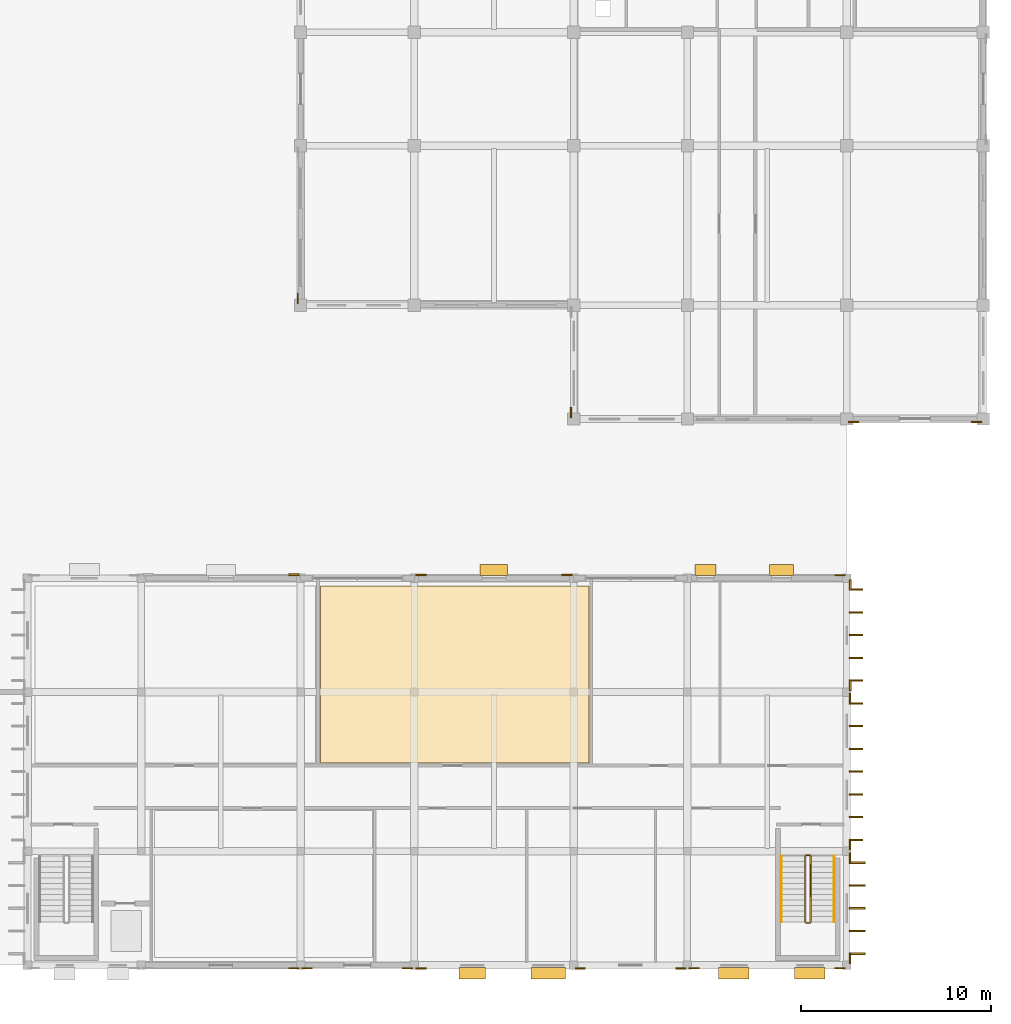
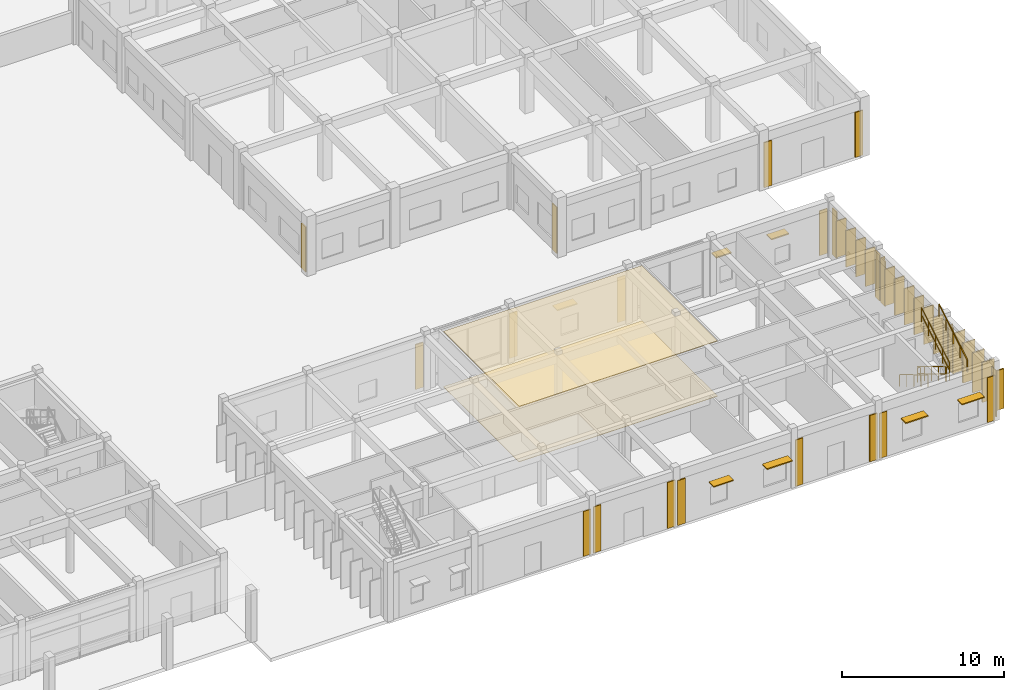
# One storey, part 63 of 67: 24 coverings, 24 shading devices, 6 railings.
"""IFC4 building model written with IfcOpenShell, lengths in metres."""

from ifc_helpers import new_model, si_unit, direction, frame, origin, origin_2d, place, context, subcontext, project, spatial, polyline, rectangle, outline, extrude, material, layer, layer_set, type_object, element, save


model = new_model("IFC4")

# Units and contexts
model_context = context("Model", 3, precision=1e-05, world=origin(), true_north=direction((0.0, 1.0)))
body_context = subcontext(model_context, "Body", "Model", "MODEL_VIEW")
ifc_project = project(units=[si_unit("LENGTHUNIT", "METRE"), si_unit("AREAUNIT", "SQUARE_METRE"), si_unit("VOLUMEUNIT", "CUBIC_METRE"), si_unit("PLANEANGLEUNIT", "RADIAN"), si_unit("MASSUNIT", "GRAM", prefix="KILO"), si_unit("THERMODYNAMICTEMPERATUREUNIT", "KELVIN")], contexts=[model_context])

# Site, building, storey
site_placement = place(None, origin())
site = spatial("IfcSite", under=ifc_project, at=site_placement, CompositionType="ELEMENT")
building_placement = place(site_placement, origin())
building = spatial("IfcBuilding", under=site, at=building_placement, Name="Thalorik Housing Commons", CompositionType="ELEMENT")
storey_placement = place(building_placement, origin())
storey = spatial("IfcBuildingStorey", under=building, at=storey_placement, Name="L00", CompositionType="ELEMENT", Elevation=0.0)

# Coverings
ifc_material_1 = material(Name="Cobalt blue glazed ceramic facade tile panel", Category="masonry")
ifc_layer_1 = layer(ifc_material_1, 0.06005859375, Name="Cobalt blue glazed ceramic facade tile panel", Category="masonry")
ifc_layer_set_1 = layer_set([ifc_layer_1], Name="Cobalt blue glazed ceramic facade tile panel")
covering_type_1 = type_object("IfcCoveringType", Name="ARC-CLD-BLU-60", PredefinedType="CLADDING", material=ifc_layer_set_1)
for number, where, z_axis, x_axis, name in (
    (1, (152.260498046875, 37.550048828125, 0.0498046875), (0.0, 0.0, 1.0), (0.0, -1.0, 0.0), "L00 Architectural Facade Cladding 4530"),
    (2, (138.35009765625, 8.23291015625, 0.0498046875), (0.0, 0.0, 1.0), (1.0, 0.0, 0.0), "L00 Architectural Facade Cladding 5197"),
    (3, (143.64990234375, 8.23291015625, 0.0498046875), (0.0, 0.0, 1.0), (1.0, 0.0, 0.0), "L00 Architectural Facade Cladding 5198"),
):
    element("IfcCovering", number, at=place(storey_placement, frame(where, z_axis=z_axis, x_axis=x_axis)), inside=storey, type_object=covering_type_1, Name=name, PredefinedType="CLADDING", context=body_context, shape_type="SweptSolid", body=[
        extrude(rectangle(XDim=0.550048828125, YDim=0.06005859375, at=origin_2d()), origin(), (0.0, 0.0, 1.0), 3.485107421875),
    ])
for number, where, z_axis, x_axis, name in (
    (4, (158.75, 8.23291015625, 0.0498046875), (0.0, 0.0, 1.0), (1.0, 0.0, 0.0), "L00 Architectural Facade Cladding 5202"),
    (5, (166.449951171875, 8.23291015625, 0.0498046875), (0.0, 0.0, 1.0), (1.0, 0.0, 0.0), "L00 Architectural Facade Cladding 5203"),
):
    element("IfcCovering", number, at=place(storey_placement, frame(where, z_axis=z_axis, x_axis=x_axis)), inside=storey, type_object=covering_type_1, Name=name, PredefinedType="CLADDING", context=body_context, shape_type="SweptSolid", body=[
        extrude(rectangle(XDim=0.550048828125, YDim=0.06005859375, at=origin_2d()), origin(), (0.0, 0.0, 1.0), 3.385009765625),
    ])
ifc_material_2 = material(Name="Precast concrete C40/50", Category="concrete")
ifc_layer_2 = layer(ifc_material_2, 0.074951171875, Name="Precast concrete C40/50", Category="concrete")
ifc_layer_set_2 = layer_set([ifc_layer_2], Name="Precast concrete C40/50")
covering_type_2 = type_object("IfcCoveringType", Name="ARC-CLD-PIER-75", PredefinedType="CLADDING", material=ifc_layer_set_2)
covering_1_placement = place(storey_placement, frame((137.85302734375, 43.550048828125, 0.0498046875), z_axis=(0.0, 0.0, 1.0), x_axis=(0.0, -1.0, 0.0)))
element("IfcCovering", 6, at=covering_1_placement, inside=storey, type_object=covering_type_2, Name="L00 Architectural Facade Cladding 4528", PredefinedType="CLADDING", context=body_context, shape_type="SweptSolid", body=[
    extrude(rectangle(XDim=0.550048828125, YDim=0.074951171875, at=origin_2d()), origin(), (0.0, 0.0, 1.0), 3.385009765625),
])
for number, where, z_axis, x_axis, name in (
    (7, (152.75, 8.2255859375, 0.0498046875), (0.0, 0.0, 1.0), (1.0, 0.0, 0.0), "L00 Architectural Facade Cladding 5200"),
    (8, (158.050048828125, 8.2255859375, 0.0498046875), (0.0, 0.0, 1.0), (1.0, 0.0, 0.0), "L00 Architectural Facade Cladding 5201"),
):
    element("IfcCovering", number, at=place(storey_placement, frame(where, z_axis=z_axis, x_axis=x_axis)), inside=storey, type_object=covering_type_2, Name=name, PredefinedType="CLADDING", context=body_context, shape_type="SweptSolid", body=[
        extrude(rectangle(XDim=0.550048828125, YDim=0.074951171875, at=origin_2d()), origin(), (0.0, 0.0, 1.0), 3.485107421875),
    ])
for number, where, z_axis, x_axis, name in (
    (9, (166.974609375, 14.75, 0.0498046875), (0.0, 0.0, 1.0), (0.0, 1.0, 0.0), "L00 Architectural Facade Cladding 5206"),
    (10, (166.974609375, 22.449951171875, 0.0498046875), (0.0, 0.0, 1.0), (0.0, 1.0, 0.0), "L00 Architectural Facade Cladding 5207"),
):
    element("IfcCovering", number, at=place(storey_placement, frame(where, z_axis=z_axis, x_axis=x_axis)), inside=storey, type_object=covering_type_2, Name=name, PredefinedType="CLADDING", context=body_context, shape_type="SweptSolid", body=[
        extrude(rectangle(XDim=0.550048828125, YDim=0.074951171875, at=origin_2d()), origin(), (0.0, 0.0, 1.0), 3.385009765625),
    ])
ifc_layer_3 = layer(ifc_material_2, 0.090087890625, Name="Precast concrete C40/50", Category="concrete")
ifc_layer_set_3 = layer_set([ifc_layer_3], Name="Precast concrete C40/50")
covering_type_3 = type_object("IfcCoveringType", Name="ARC-CLD-PIER-90", PredefinedType="CLADDING", material=ifc_layer_set_3)
for number, where, z_axis, x_axis, name in (
    (11, (167.14990234375, 37.04541015625, 0.0498046875), (0.0, 0.0, 1.0), (1.0, 0.0, 0.0), "L00 Architectural Facade Cladding 4531"),
    (12, (173.64990234375, 37.04541015625, 0.0498046875), (0.0, 0.0, 1.0), (1.0, 0.0, 0.0), "L00 Architectural Facade Cladding 4532"),
    (13, (144.35009765625, 8.218017578125, 0.0498046875), (0.0, 0.0, 1.0), (1.0, 0.0, 0.0), "L00 Architectural Facade Cladding 5199"),
):
    element("IfcCovering", number, at=place(storey_placement, frame(where, z_axis=z_axis, x_axis=x_axis)), inside=storey, type_object=covering_type_3, Name=name, PredefinedType="CLADDING", context=body_context, shape_type="SweptSolid", body=[
        extrude(rectangle(XDim=0.550048828125, YDim=0.090087890625, at=origin_2d()), origin(), (0.0, 0.0, 1.0), 3.385009765625),
    ])
for number, where, z_axis, x_axis, name in (
    (14, (166.98193359375, 23.14990234375, 0.0498046875), (0.0, 0.0, 1.0), (0.0, 1.0, 0.0), "L00 Architectural Facade Cladding 5208"),
    (15, (166.98193359375, 28.449951171875, 0.0498046875), (0.0, 0.0, 1.0), (0.0, 1.0, 0.0), "L00 Architectural Facade Cladding 5209"),
):
    element("IfcCovering", number, at=place(storey_placement, frame(where, z_axis=z_axis, x_axis=x_axis)), inside=storey, type_object=covering_type_3, Name=name, PredefinedType="CLADDING", context=body_context, shape_type="SweptSolid", body=[
        extrude(rectangle(XDim=0.550048828125, YDim=0.090087890625, at=origin_2d()), origin(), (0.0, 0.0, 1.0), 3.485107421875),
    ])
covering_2_placement = place(storey_placement, frame((137.64990234375, 28.98193359375, 0.0498046875), z_axis=(0.0, 0.0, 1.0), x_axis=(-1.0, 0.0, 0.0)))
element("IfcCovering", 16, at=covering_2_placement, inside=storey, type_object=covering_type_3, Name="L00 Architectural Facade Cladding 5213", PredefinedType="CLADDING", context=body_context, shape_type="SweptSolid", body=[
    extrude(rectangle(XDim=0.550048828125, YDim=0.090087890625, at=origin_2d()), origin(), (0.0, 0.0, 1.0), 3.385009765625),
])
ifc_material_3 = material(Name="Terracotta red mineral fibre-cement panel", Category="masonry")
ifc_layer_4 = layer(ifc_material_3, 0.054931640625, Name="Terracotta red mineral fibre-cement panel", Category="masonry")
ifc_layer_set_4 = layer_set([ifc_layer_4], Name="Terracotta red mineral fibre-cement panel")
covering_type_4 = type_object("IfcCoveringType", Name="ARC-CLD-RED-55", PredefinedType="CLADDING", material=ifc_layer_set_4)
for number, where, z_axis, x_axis, name in (
    (17, (137.64990234375, 8.235595703125, 0.0498046875), (0.0, 0.0, 1.0), (1.0, 0.0, 0.0), "L00 Architectural Facade Cladding 5196"),
    (18, (166.449951171875, 28.964599609375, 0.0498046875), (0.0, 0.0, 1.0), (-1.0, 0.0, 0.0), "L00 Architectural Facade Cladding 5210"),
):
    element("IfcCovering", number, at=place(storey_placement, frame(where, z_axis=z_axis, x_axis=x_axis)), inside=storey, type_object=covering_type_4, Name=name, PredefinedType="CLADDING", context=body_context, shape_type="SweptSolid", body=[
        extrude(rectangle(XDim=0.550048828125, YDim=0.054931640625, at=origin_2d()), origin(), (0.0, 0.0, 1.0), 3.385009765625),
    ])
ifc_material_4 = material(Name="Mineral ochre architectural terracotta panel", Category="masonry")
ifc_layer_5 = layer(ifc_material_4, 0.06494140625, Name="Mineral ochre architectural terracotta panel", Category="masonry")
ifc_layer_set_5 = layer_set([ifc_layer_5], Name="Mineral ochre architectural terracotta panel")
covering_type_5 = type_object("IfcCoveringType", Name="ARC-CLD-YEL-65", PredefinedType="CLADDING", material=ifc_layer_set_5)
for number, where, z_axis, x_axis, name in (
    (19, (166.969482421875, 8.75, 0.0498046875), (0.0, 0.0, 1.0), (0.0, 1.0, 0.0), "L00 Architectural Facade Cladding 5204"),
    (20, (166.969482421875, 14.050048828125, 0.0498046875), (0.0, 0.0, 1.0), (0.0, 1.0, 0.0), "L00 Architectural Facade Cladding 5205"),
):
    element("IfcCovering", number, at=place(storey_placement, frame(where, z_axis=z_axis, x_axis=x_axis)), inside=storey, type_object=covering_type_5, Name=name, PredefinedType="CLADDING", context=body_context, shape_type="SweptSolid", body=[
        extrude(rectangle(XDim=0.550048828125, YDim=0.06494140625, at=origin_2d()), origin(), (0.0, 0.0, 1.0), 3.485107421875),
    ])
for number, where, z_axis, x_axis, name in (
    (21, (152.050048828125, 28.969482421875, 0.0498046875), (0.0, 0.0, 1.0), (-1.0, 0.0, 0.0), "L00 Architectural Facade Cladding 5211"),
    (22, (144.35009765625, 28.969482421875, 0.0498046875), (0.0, 0.0, 1.0), (-1.0, 0.0, 0.0), "L00 Architectural Facade Cladding 5212"),
):
    element("IfcCovering", number, at=place(storey_placement, frame(where, z_axis=z_axis, x_axis=x_axis)), inside=storey, type_object=covering_type_5, Name=name, PredefinedType="CLADDING", context=body_context, shape_type="SweptSolid", body=[
        extrude(rectangle(XDim=0.550048828125, YDim=0.06494140625, at=origin_2d()), origin(), (0.0, 0.0, 1.0), 3.385009765625),
    ])
ifc_material_5 = material(Name="Acoustic wood-wool nursery ceiling panel", Category="wood")
ifc_layer_6 = layer(ifc_material_5, 0.035888671875, Name="Acoustic wood-wool nursery ceiling panel", Category="wood")
ifc_layer_set_6 = layer_set([ifc_layer_6], Name="Acoustic wood-wool nursery ceiling panel")
covering_type_6 = type_object("IfcCoveringType", Name="ARC-COV-CEIL-06", PredefinedType="CEILING", material=ifc_layer_set_6)
covering_3_placement = place(storey_placement, frame((0.0, 0.0, 4.1640625)))
element("IfcCovering", 23, at=covering_3_placement, inside=storey, type_object=covering_type_6, Name="L00 Preschool Classroom Suspended Ceiling", PredefinedType="CEILING", context=body_context, shape_type="SweptSolid", body=[
    extrude(outline(polyline([(153.199951171875, 19.050048828125), (153.199951171875, 28.39990234375), (139.050048828125, 28.39990234375), (139.050048828125, 19.050048828125), (153.199951171875, 19.050048828125)])), origin(), (0.0, 0.0, 1.0), 0.035888671875),
])
ifc_material_6 = material(Name="Epoxy-sealed concrete plant and bicycle hub finish", Category="concrete")
ifc_layer_7 = layer(ifc_material_6, 0.031982421875, Name="Epoxy-sealed concrete plant and bicycle hub finish", Category="concrete")
ifc_layer_set_7 = layer_set([ifc_layer_7], Name="Epoxy-sealed concrete plant and bicycle hub finish")
covering_type_7 = type_object("IfcCoveringType", Name="ARC-COV-FLR-06", PredefinedType="FLOORING", material=ifc_layer_set_7)
covering_4_placement = place(storey_placement, origin())
element("IfcCovering", 24, at=covering_4_placement, inside=storey, type_object=covering_type_7, Name="L00 Preschool Classroom Flooring", PredefinedType="FLOORING", context=body_context, shape_type="SweptSolid", body=[
    extrude(outline(polyline([(153.199951171875, 19.050048828125), (153.199951171875, 28.39990234375), (139.050048828125, 28.39990234375), (139.050048828125, 19.050048828125), (153.199951171875, 19.050048828125)])), origin(), (0.0, 0.0, 1.0), 0.031982421875),
])

# Shading devices
ifc_material_7 = material(Name="Cobalt blue anodised aluminium", Category="aluminium")
shading_device_type_1 = type_object("IfcShadingDeviceType", Name="ARC-FIN-BLU-700", PredefinedType="USERDEFINED", material=ifc_material_7)
for number, where, z_axis, x_axis, name in (
    (25, (167.284912109375, 23.39990234375, 0.1201171875), (0.0, 0.0, 1.0), (0.0, 1.0, 0.0), "L00 Vertical Precast Solar Fin 98"),
    (26, (167.284912109375, 24.60009765625, 0.1201171875), (0.0, 0.0, 1.0), (0.0, 1.0, 0.0), "L00 Vertical Precast Solar Fin 99"),
    (27, (167.284912109375, 25.800048828125, 0.1201171875), (0.0, 0.0, 1.0), (0.0, 1.0, 0.0), "L00 Vertical Precast Solar Fin 100"),
    (28, (167.284912109375, 27.0, 0.1201171875), (0.0, 0.0, 1.0), (0.0, 1.0, 0.0), "L00 Vertical Precast Solar Fin 101"),
    (29, (167.284912109375, 28.199951171875, 0.1201171875), (0.0, 0.0, 1.0), (0.0, 1.0, 0.0), "L00 Vertical Precast Solar Fin 102"),
):
    element("IfcShadingDevice", number, at=place(storey_placement, frame(where, z_axis=z_axis, x_axis=x_axis)), inside=storey, type_object=shading_device_type_1, Name=name, ObjectType="FIN", PredefinedType="USERDEFINED", context=body_context, shape_type="SweptSolid", body=[
        extrude(rectangle(XDim=0.074951171875, YDim=0.699951171875, at=origin_2d()), origin(), (0.0, 0.0, 1.0), 2.75),
    ])
shading_device_type_2 = type_object("IfcShadingDeviceType", Name="ARC-FIN-PC-850B", PredefinedType="USERDEFINED", material=ifc_material_2)
for number, where, z_axis, x_axis, name in (
    (30, (167.360107421875, 9.0, 0.1201171875), (0.0, 0.0, 1.0), (0.0, 1.0, 0.0), "L00 Vertical Precast Solar Fin 86"),
    (31, (167.360107421875, 10.199951171875, 0.1201171875), (0.0, 0.0, 1.0), (0.0, 1.0, 0.0), "L00 Vertical Precast Solar Fin 87"),
    (32, (167.360107421875, 11.39990234375, 0.1201171875), (0.0, 0.0, 1.0), (0.0, 1.0, 0.0), "L00 Vertical Precast Solar Fin 88"),
    (33, (167.360107421875, 12.60009765625, 0.1201171875), (0.0, 0.0, 1.0), (0.0, 1.0, 0.0), "L00 Vertical Precast Solar Fin 89"),
    (34, (167.360107421875, 13.800048828125, 0.1201171875), (0.0, 0.0, 1.0), (0.0, 1.0, 0.0), "L00 Vertical Precast Solar Fin 90"),
):
    element("IfcShadingDevice", number, at=place(storey_placement, frame(where, z_axis=z_axis, x_axis=x_axis)), inside=storey, type_object=shading_device_type_2, Name=name, ObjectType="FIN", PredefinedType="USERDEFINED", context=body_context, shape_type="SweptSolid", body=[
        extrude(rectangle(XDim=0.090087890625, YDim=0.85009765625, at=origin_2d()), origin(), (0.0, 0.0, 1.0), 3.0),
    ])
ifc_material_8 = material(Name="Oxide red precast concrete C40/50", Category="concrete")
shading_device_type_3 = type_object("IfcShadingDeviceType", Name="ARC-FIN-RED-700", PredefinedType="USERDEFINED", material=ifc_material_8)
for number, where, z_axis, x_axis, name in (
    (35, (167.284912109375, 15.0, 0.1201171875), (0.0, 0.0, 1.0), (0.0, 1.0, 0.0), "L00 Vertical Precast Solar Fin 91"),
    (36, (167.284912109375, 16.199951171875, 0.1201171875), (0.0, 0.0, 1.0), (0.0, 1.0, 0.0), "L00 Vertical Precast Solar Fin 92"),
    (37, (167.284912109375, 17.39990234375, 0.1201171875), (0.0, 0.0, 1.0), (0.0, 1.0, 0.0), "L00 Vertical Precast Solar Fin 93"),
    (38, (167.284912109375, 18.60009765625, 0.1201171875), (0.0, 0.0, 1.0), (0.0, 1.0, 0.0), "L00 Vertical Precast Solar Fin 94"),
    (39, (167.284912109375, 19.800048828125, 0.1201171875), (0.0, 0.0, 1.0), (0.0, 1.0, 0.0), "L00 Vertical Precast Solar Fin 95"),
    (40, (167.284912109375, 21.0, 0.1201171875), (0.0, 0.0, 1.0), (0.0, 1.0, 0.0), "L00 Vertical Precast Solar Fin 96"),
    (41, (167.284912109375, 22.199951171875, 0.1201171875), (0.0, 0.0, 1.0), (0.0, 1.0, 0.0), "L00 Vertical Precast Solar Fin 97"),
):
    element("IfcShadingDevice", number, at=place(storey_placement, frame(where, z_axis=z_axis, x_axis=x_axis)), inside=storey, type_object=shading_device_type_3, Name=name, ObjectType="FIN", PredefinedType="USERDEFINED", context=body_context, shape_type="SweptSolid", body=[
        extrude(rectangle(XDim=0.074951171875, YDim=0.699951171875, at=origin_2d()), origin(), (0.0, 0.0, 1.0), 2.75),
    ])
ifc_material_9 = material(Name="Anodised aluminium sun-louvre blade", Category="aluminium")
shading_device_type_4 = type_object("IfcShadingDeviceType", Name="ARC-LVR-ALU-600", PredefinedType="JALOUSIE", material=ifc_material_9)
shading_device_1_placement = place(storey_placement, frame((147.054931640625, 7.965087890625, 2.43994140625), z_axis=(0.0, 0.0, 1.0), x_axis=(1.0, 0.0, 0.0)))
element("IfcShadingDevice", 42, at=shading_device_1_placement, inside=storey, type_object=shading_device_type_4, Name="L00 Horizontal Sun-Louvre 82", PredefinedType="JALOUSIE", context=body_context, shape_type="SweptSolid", body=[
    extrude(rectangle(XDim=1.39990234375, YDim=0.60009765625, at=origin_2d()), origin(), (0.0, 0.0, 1.0), 0.080078125),
])
shading_device_2_placement = place(storey_placement, frame((151.06494140625, 7.965087890625, 2.43994140625), z_axis=(0.0, 0.0, 1.0), x_axis=(1.0, 0.0, 0.0)))
element("IfcShadingDevice", 43, at=shading_device_2_placement, inside=storey, type_object=shading_device_type_4, Name="L00 Horizontal Sun-Louvre 83", PredefinedType="JALOUSIE", context=body_context, shape_type="SweptSolid", body=[
    extrude(rectangle(XDim=1.820068359375, YDim=0.60009765625, at=origin_2d()), origin(), (0.0, 0.0, 1.0), 0.080078125),
])
for number, where, z_axis, x_axis, name in (
    (44, (160.844970703125, 7.965087890625, 2.43994140625), (0.0, 0.0, 1.0), (1.0, 0.0, 0.0), "L00 Horizontal Sun-Louvre 84"),
    (45, (164.85498046875, 7.965087890625, 2.43994140625), (0.0, 0.0, 1.0), (1.0, 0.0, 0.0), "L00 Horizontal Sun-Louvre 85"),
):
    element("IfcShadingDevice", number, at=place(storey_placement, frame(where, z_axis=z_axis, x_axis=x_axis)), inside=storey, type_object=shading_device_type_4, Name=name, PredefinedType="JALOUSIE", context=body_context, shape_type="SweptSolid", body=[
        extrude(rectangle(XDim=1.60009765625, YDim=0.60009765625, at=origin_2d()), origin(), (0.0, 0.0, 1.0), 0.080078125),
    ])
shading_device_3_placement = place(storey_placement, frame((163.364990234375, 29.235107421875, 2.43994140625), z_axis=(0.0, 0.0, 1.0), x_axis=(-1.0, 0.0, 0.0)))
element("IfcShadingDevice", 46, at=shading_device_3_placement, inside=storey, type_object=shading_device_type_4, Name="L00 Horizontal Sun-Louvre 103", PredefinedType="JALOUSIE", context=body_context, shape_type="SweptSolid", body=[
    extrude(rectangle(XDim=1.25, YDim=0.60009765625, at=origin_2d()), origin(), (0.0, 0.0, 1.0), 0.080078125),
])
shading_device_4_placement = place(storey_placement, frame((159.35498046875, 29.235107421875, 2.43994140625), z_axis=(0.0, 0.0, 1.0), x_axis=(-1.0, 0.0, 0.0)))
element("IfcShadingDevice", 47, at=shading_device_4_placement, inside=storey, type_object=shading_device_type_4, Name="L00 Horizontal Sun-Louvre 104", PredefinedType="JALOUSIE", context=body_context, shape_type="SweptSolid", body=[
    extrude(rectangle(XDim=1.10009765625, YDim=0.60009765625, at=origin_2d()), origin(), (0.0, 0.0, 1.0), 0.080078125),
])
shading_device_5_placement = place(storey_placement, frame((148.199951171875, 29.235107421875, 2.43994140625), z_axis=(0.0, 0.0, 1.0), x_axis=(-1.0, 0.0, 0.0)))
element("IfcShadingDevice", 48, at=shading_device_5_placement, inside=storey, type_object=shading_device_type_4, Name="L00 Horizontal Sun-Louvre 105", PredefinedType="JALOUSIE", context=body_context, shape_type="SweptSolid", body=[
    extrude(rectangle(XDim=1.449951171875, YDim=0.60009765625, at=origin_2d()), origin(), (0.0, 0.0, 1.0), 0.080078125),
])

# Railings
ifc_material_10 = material(Name="Steel S355", Category="steel")
railing_type_1 = type_object("IfcRailingType", Name="ARC-RL-STR-GRD110", PredefinedType="GUARDRAIL", material=ifc_material_10)
railing_1_placement = place(storey_placement, frame((164.60009765625, 14.14990234375, 0.173095703125)))
element("IfcRailing", 49, at=railing_1_placement, inside=storey, type_object=railing_type_1, Name="L00 ST-N2 stair guard 1", PredefinedType="GUARDRAIL", context=body_context, shape_type="SweptSolid", body=[
    extrude(rectangle(XDim=0.048095703125, YDim=0.048095703125, at=origin_2d()), frame((0.0, 0.0, 1.076171875), z_axis=(0.0, -0.858697190188, 0.512483302717), x_axis=(1.0, 0.0, 0.0)), (0.0, 0.0, 1.0), 4.052734375),
    extrude(rectangle(XDim=0.048095703125, YDim=0.048095703125, at=origin_2d()), frame((0.0, 0.0, 0.52587890625), z_axis=(0.0, -0.858697190188, 0.512483302717), x_axis=(1.0, 0.0, 0.0)), (0.0, 0.0, 1.0), 4.052734375),
    extrude(rectangle(XDim=0.0419921875, YDim=0.0419921875, at=origin_2d()), origin(), (0.0, 0.0, 1.0), 1.052001953125),
    extrude(rectangle(XDim=0.0419921875, YDim=0.0419921875, at=origin_2d()), frame((0.0, -0.8701171875, 0.519287109375)), (0.0, 0.0, 1.0), 1.052001953125),
    extrude(rectangle(XDim=0.0419921875, YDim=0.0419921875, at=origin_2d()), frame((0.0, -1.739990234375, 1.03857421875)), (0.0, 0.0, 1.0), 1.052001953125),
    extrude(rectangle(XDim=0.0419921875, YDim=0.0419921875, at=origin_2d()), frame((0.0, -2.60986328125, 1.5576171875)), (0.0, 0.0, 1.0), 1.052001953125),
    extrude(rectangle(XDim=0.0419921875, YDim=0.0419921875, at=origin_2d()), frame((0.0, -3.47998046875, 2.076904296875)), (0.0, 0.0, 1.0), 1.052001953125),
])
railing_2_placement = place(storey_placement, frame((164.64990234375, 10.6201171875, 2.25)))
element("IfcRailing", 50, at=railing_2_placement, inside=storey, type_object=railing_type_1, Name="L00 ST-N2 stair guard 2", PredefinedType="GUARDRAIL", context=body_context, shape_type="SweptSolid", body=[
    extrude(rectangle(XDim=0.048095703125, YDim=0.048095703125, at=origin_2d()), frame((0.0, 0.0, 1.076171875), z_axis=(1.0, 0.0, 0.0), x_axis=(0.0, 1.0, 0.0)), (0.0, 0.0, 1.0), 0.2001953125),
    extrude(rectangle(XDim=0.048095703125, YDim=0.048095703125, at=origin_2d()), frame((0.0, 0.0, 0.52587890625), z_axis=(1.0, 0.0, 0.0), x_axis=(0.0, 1.0, 0.0)), (0.0, 0.0, 1.0), 0.2001953125),
    extrude(rectangle(XDim=0.0419921875, YDim=0.0419921875, at=origin_2d()), origin(), (0.0, 0.0, 1.0), 1.052001953125),
    extrude(rectangle(XDim=0.0419921875, YDim=0.0419921875, at=origin_2d()), frame((0.2001953125, 0.0, 0.0)), (0.0, 0.0, 1.0), 1.052001953125),
])
railing_3_placement = place(storey_placement, frame((164.89990234375, 10.669921875, 2.423095703125)))
element("IfcRailing", 51, at=railing_3_placement, inside=storey, type_object=railing_type_1, Name="L00 ST-N2 stair guard 3", PredefinedType="GUARDRAIL", context=body_context, shape_type="SweptSolid", body=[
    extrude(rectangle(XDim=0.048095703125, YDim=0.048095703125, at=origin_2d()), frame((0.0, 0.0, 1.076171875), z_axis=(0.0, 0.858697190188, 0.512483302717), x_axis=(-1.0, 0.0, 0.0)), (0.0, 0.0, 1.0), 4.052734375),
    extrude(rectangle(XDim=0.048095703125, YDim=0.048095703125, at=origin_2d()), frame((0.0, 0.0, 0.52587890625), z_axis=(0.0, 0.858697190188, 0.512483302717), x_axis=(-1.0, 0.0, 0.0)), (0.0, 0.0, 1.0), 4.052734375),
    extrude(rectangle(XDim=0.0419921875, YDim=0.0419921875, at=origin_2d()), origin(), (0.0, 0.0, 1.0), 1.052001953125),
    extrude(rectangle(XDim=0.0419921875, YDim=0.0419921875, at=origin_2d()), frame((0.0, 0.8701171875, 0.519287109375)), (0.0, 0.0, 1.0), 1.052001953125),
    extrude(rectangle(XDim=0.0419921875, YDim=0.0419921875, at=origin_2d()), frame((0.0, 1.739990234375, 1.03857421875)), (0.0, 0.0, 1.0), 1.052001953125),
    extrude(rectangle(XDim=0.0419921875, YDim=0.0419921875, at=origin_2d()), frame((0.0, 2.60986328125, 1.5576171875)), (0.0, 0.0, 1.0), 1.052001953125),
    extrude(rectangle(XDim=0.0419921875, YDim=0.0419921875, at=origin_2d()), frame((0.0, 3.47998046875, 2.076904296875)), (0.0, 0.0, 1.0), 1.052001953125),
])
railing_4_placement = place(storey_placement, frame((164.64990234375, 14.199951171875, 0.0)))
element("IfcRailing", 52, at=railing_4_placement, inside=storey, type_object=railing_type_1, Name="L00 ST-N2 stair guard 4", PredefinedType="GUARDRAIL", context=body_context, shape_type="SweptSolid", body=[
    extrude(rectangle(XDim=0.048095703125, YDim=0.048095703125, at=origin_2d()), frame((0.0, 0.0, 1.076171875), z_axis=(1.0, 0.0, 0.0), x_axis=(0.0, 1.0, 0.0)), (0.0, 0.0, 1.0), 0.2001953125),
    extrude(rectangle(XDim=0.048095703125, YDim=0.048095703125, at=origin_2d()), frame((0.0, 0.0, 0.52587890625), z_axis=(1.0, 0.0, 0.0), x_axis=(0.0, 1.0, 0.0)), (0.0, 0.0, 1.0), 0.2001953125),
    extrude(rectangle(XDim=0.0419921875, YDim=0.0419921875, at=origin_2d()), origin(), (0.0, 0.0, 1.0), 1.052001953125),
    extrude(rectangle(XDim=0.0419921875, YDim=0.0419921875, at=origin_2d()), frame((0.2001953125, 0.0, 0.0)), (0.0, 0.0, 1.0), 1.052001953125),
])
railing_type_2 = type_object("IfcRailingType", Name="ARC-RL-STR-HR092", PredefinedType="HANDRAIL", material=ifc_material_10)
railing_5_placement = place(storey_placement, frame((163.35009765625, 14.14990234375, 0.173095703125)))
element("IfcRailing", 53, at=railing_5_placement, inside=storey, type_object=railing_type_2, Name="L00 ST-N2 stair handrail 1", PredefinedType="HANDRAIL", context=body_context, shape_type="SweptSolid", body=[
    extrude(rectangle(XDim=0.048095703125, YDim=0.048095703125, at=origin_2d()), frame((0.0, 0.0, 0.89599609375), z_axis=(0.0, -0.858697190188, 0.512483302717), x_axis=(1.0, 0.0, 0.0)), (0.0, 0.0, 1.0), 4.052734375),
    extrude(rectangle(XDim=0.0419921875, YDim=0.0419921875, at=origin_2d()), origin(), (0.0, 0.0, 1.0), 0.871826171875),
    extrude(rectangle(XDim=0.0419921875, YDim=0.0419921875, at=origin_2d()), frame((0.0, -0.8701171875, 0.519287109375)), (0.0, 0.0, 1.0), 0.871826171875),
    extrude(rectangle(XDim=0.0419921875, YDim=0.0419921875, at=origin_2d()), frame((0.0, -1.739990234375, 1.03857421875)), (0.0, 0.0, 1.0), 0.871826171875),
    extrude(rectangle(XDim=0.0419921875, YDim=0.0419921875, at=origin_2d()), frame((0.0, -2.60986328125, 1.5576171875)), (0.0, 0.0, 1.0), 0.871826171875),
    extrude(rectangle(XDim=0.0419921875, YDim=0.0419921875, at=origin_2d()), frame((0.0, -3.47998046875, 2.076904296875)), (0.0, 0.0, 1.0), 0.871826171875),
])
railing_6_placement = place(storey_placement, frame((166.14990234375, 10.669921875, 2.423095703125)))
element("IfcRailing", 54, at=railing_6_placement, inside=storey, type_object=railing_type_2, Name="L00 ST-N2 stair handrail 2", PredefinedType="HANDRAIL", context=body_context, shape_type="SweptSolid", body=[
    extrude(rectangle(XDim=0.048095703125, YDim=0.048095703125, at=origin_2d()), frame((0.0, 0.0, 0.89599609375), z_axis=(0.0, 0.858697190188, 0.512483302717), x_axis=(-1.0, 0.0, 0.0)), (0.0, 0.0, 1.0), 4.052734375),
    extrude(rectangle(XDim=0.0419921875, YDim=0.0419921875, at=origin_2d()), origin(), (0.0, 0.0, 1.0), 0.871826171875),
    extrude(rectangle(XDim=0.0419921875, YDim=0.0419921875, at=origin_2d()), frame((0.0, 0.8701171875, 0.519287109375)), (0.0, 0.0, 1.0), 0.871826171875),
    extrude(rectangle(XDim=0.0419921875, YDim=0.0419921875, at=origin_2d()), frame((0.0, 1.739990234375, 1.03857421875)), (0.0, 0.0, 1.0), 0.871826171875),
    extrude(rectangle(XDim=0.0419921875, YDim=0.0419921875, at=origin_2d()), frame((0.0, 2.60986328125, 1.5576171875)), (0.0, 0.0, 1.0), 0.871826171875),
    extrude(rectangle(XDim=0.0419921875, YDim=0.0419921875, at=origin_2d()), frame((0.0, 3.47998046875, 2.076904296875)), (0.0, 0.0, 1.0), 0.871826171875),
])

save(model, "model.ifc")
